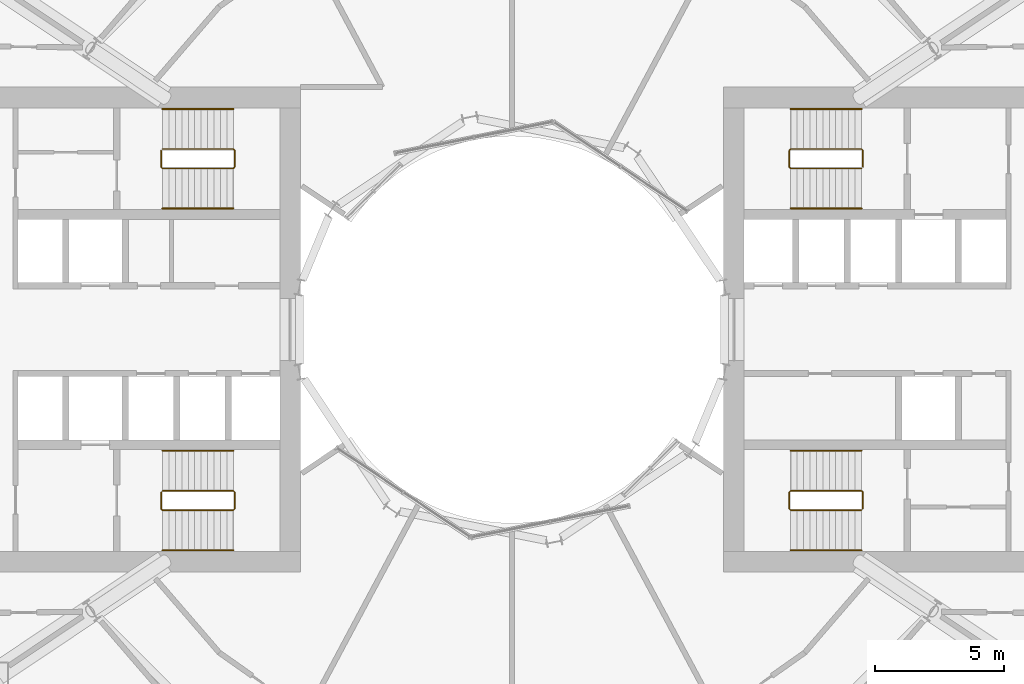
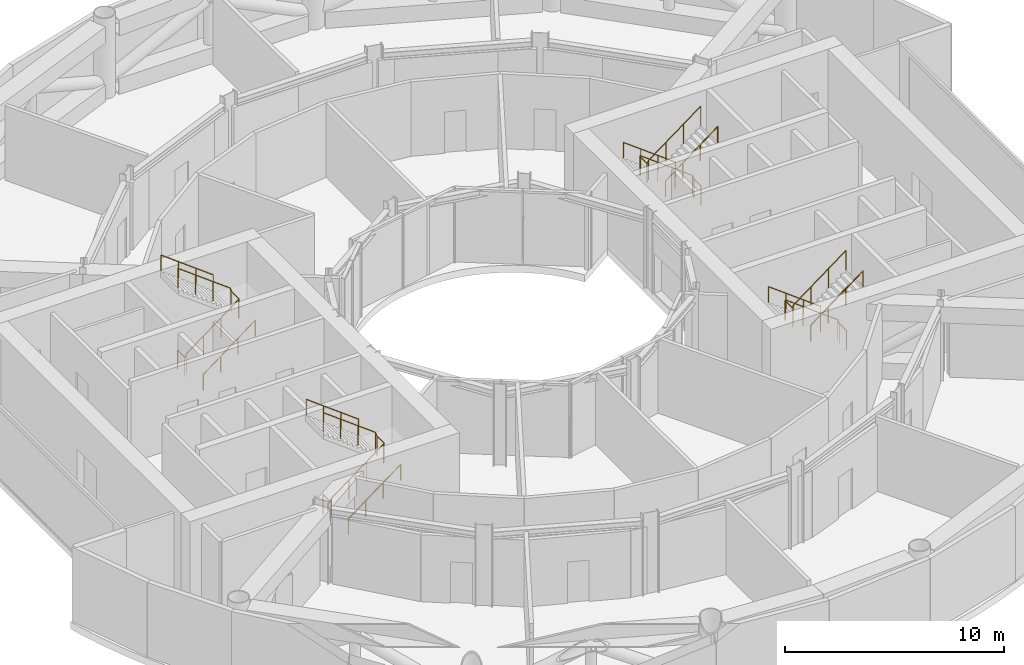
# One storey, part 15 of 15: 12 railings.
"""IFC4 building model written with IfcOpenShell, lengths in metres."""

from ifc_helpers import new_model, si_unit, direction, frame, origin, origin_2d, place, context, subcontext, project, spatial, circle, extrude, material, type_object, element, save


model = new_model("IFC4")

# Units and contexts
model_context = context("Model", 3, precision=1e-05, world=origin(), true_north=direction((0.0, 1.0)))
body_context = subcontext(model_context, "Body", "Model", "MODEL_VIEW")
ifc_project = project(units=[si_unit("LENGTHUNIT", "METRE"), si_unit("AREAUNIT", "SQUARE_METRE"), si_unit("VOLUMEUNIT", "CUBIC_METRE"), si_unit("PLANEANGLEUNIT", "RADIAN"), si_unit("MASSUNIT", "GRAM", prefix="KILO")], contexts=[model_context])

# Site, building, storey
site_placement = place(None, origin())
site = spatial("IfcSite", under=ifc_project, at=site_placement, CompositionType="ELEMENT")
building_placement = place(site_placement, origin())
building = spatial("IfcBuilding", under=site, at=building_placement, Name="Maasbend Ring Residences", CompositionType="ELEMENT")
storey_placement = place(building_placement, frame((0.0, 0.0, 18.300048828125)))
storey = spatial("IfcBuildingStorey", under=building, at=storey_placement, Name="L04", CompositionType="ELEMENT", Elevation=18.300048828125)

# Railings
ifc_material_1 = material(Name="Stainless steel 316", Category="steel")
railing_type_1 = type_object("IfcRailingType", Name="STAIR GUARD 1100", PredefinedType="GUARDRAIL", material=ifc_material_1)
railing_1_placement = place(storey_placement, frame((13.60009765625, 6.300048828125, 0.0)))
element("IfcRailing", 1, at=railing_1_placement, inside=storey, type_object=railing_type_1, Name="L04 ST-E1 stair guard 1", PredefinedType="GUARDRAIL", context=body_context, shape_type="SweptSolid", body=[
    extrude(circle(Radius=0.02392578125, at=origin_2d()), frame((0.0, 0.0, 1.076171875), z_axis=(0.0, 1.0, 0.0), x_axis=(-1.0, 0.0, 0.0)), (0.0, 0.0, 1.0), 0.64990234375),
    extrude(circle(Radius=0.02392578125, at=origin_2d()), frame((0.0, 0.64990234375, 1.076171875), z_axis=(-0.249726431254, 0.249726431254, 0.935560483917), x_axis=(-0.707106781187, -0.707106781187, 0.0)), (0.0, 0.0, 1.0), 0.200439453125),
    extrude(circle(Radius=0.02392578125, at=origin_2d()), frame((-0.050048828125, 0.699951171875, 1.263671875), z_axis=(-0.8, 0.0, 0.6), x_axis=(0.0, -1.0, 0.0)), (0.0, 0.0, 1.0), 3.4375),
    extrude(circle(Radius=0.02392578125, at=origin_2d()), frame((-2.800048828125, 0.699951171875, 3.326171875), z_axis=(-0.707106781187, -0.707106781187, 0.0), x_axis=(0.707106781187, -0.707106781187, 0.0)), (0.0, 0.0, 1.0), 0.07080078125),
    extrude(circle(Radius=0.02392578125, at=origin_2d()), frame((-2.85009765625, 0.64990234375, 3.326171875), z_axis=(0.0, -1.0, 0.0), x_axis=(1.0, 0.0, 0.0)), (0.0, 0.0, 1.0), 0.64990234375),
    extrude(circle(Radius=0.02392578125, at=origin_2d()), frame((-2.85009765625, 0.0, 3.326171875), z_axis=(0.249726431254, -0.249726431254, 0.935560483917), x_axis=(0.707106781187, 0.707106781187, 0.0)), (0.0, 0.0, 1.0), 0.200439453125),
    extrude(circle(Radius=0.02392578125, at=origin_2d()), frame((-2.800048828125, -0.050048828125, 3.513671875), z_axis=(0.8, 0.0, 0.6), x_axis=(0.0, 1.0, 0.0)), (0.0, 0.0, 1.0), 3.4375),
    extrude(circle(Radius=0.02099609375, at=origin_2d()), origin(), (0.0, 0.0, 1.0), 1.052001953125),
    extrude(circle(Radius=0.02099609375, at=origin_2d()), frame((0.0, 0.64990234375, 0.0)), (0.0, 0.0, 1.0), 1.052001953125),
    extrude(circle(Radius=0.02099609375, at=origin_2d()), frame((-0.050048828125, 0.699951171875, 0.1875)), (0.0, 0.0, 1.0), 1.052001953125),
    extrude(circle(Radius=0.02099609375, at=origin_2d()), frame((-0.966796875, 0.699951171875, 0.875)), (0.0, 0.0, 1.0), 1.052001953125),
    extrude(circle(Radius=0.02099609375, at=origin_2d()), frame((-1.88330078125, 0.699951171875, 1.5625)), (0.0, 0.0, 1.0), 1.052001953125),
    extrude(circle(Radius=0.02099609375, at=origin_2d()), frame((-2.800048828125, 0.699951171875, 2.25)), (0.0, 0.0, 1.0), 1.052001953125),
    extrude(circle(Radius=0.02099609375, at=origin_2d()), frame((-2.85009765625, 0.64990234375, 2.25)), (0.0, 0.0, 1.0), 1.052001953125),
    extrude(circle(Radius=0.02099609375, at=origin_2d()), frame((-2.85009765625, 0.0, 2.25)), (0.0, 0.0, 1.0), 1.052001953125),
    extrude(circle(Radius=0.02099609375, at=origin_2d()), frame((-2.800048828125, -0.050048828125, 2.4375)), (0.0, 0.0, 1.0), 1.052001953125),
    extrude(circle(Radius=0.02099609375, at=origin_2d()), frame((-1.88330078125, -0.050048828125, 3.125)), (0.0, 0.0, 1.0), 1.052001953125),
    extrude(circle(Radius=0.02099609375, at=origin_2d()), frame((-0.966796875, -0.050048828125, 3.8125)), (0.0, 0.0, 1.0), 1.052001953125),
    extrude(circle(Radius=0.02099609375, at=origin_2d()), frame((-0.050048828125, -0.050048828125, 4.5)), (0.0, 0.0, 1.0), 1.052001953125),
])
railing_2_placement = place(storey_placement, frame((13.60009765625, -6.949951171875, 0.0)))
element("IfcRailing", 2, at=railing_2_placement, inside=storey, type_object=railing_type_1, Name="L04 ST-E2 stair guard 1", PredefinedType="GUARDRAIL", context=body_context, shape_type="SweptSolid", body=[
    extrude(circle(Radius=0.02392578125, at=origin_2d()), frame((0.0, 0.0, 1.076171875), z_axis=(0.0, 1.0, 0.0), x_axis=(-1.0, 0.0, 0.0)), (0.0, 0.0, 1.0), 0.64990234375),
    extrude(circle(Radius=0.02392578125, at=origin_2d()), frame((0.0, 0.64990234375, 1.076171875), z_axis=(-0.249726431254, 0.249726431254, 0.935560483917), x_axis=(-0.707106781187, -0.707106781187, 0.0)), (0.0, 0.0, 1.0), 0.200439453125),
    extrude(circle(Radius=0.02392578125, at=origin_2d()), frame((-0.050048828125, 0.699951171875, 1.263671875), z_axis=(-0.8, 0.0, 0.6), x_axis=(0.0, -1.0, 0.0)), (0.0, 0.0, 1.0), 3.4375),
    extrude(circle(Radius=0.02392578125, at=origin_2d()), frame((-2.800048828125, 0.699951171875, 3.326171875), z_axis=(-0.707106781187, -0.707106781187, 0.0), x_axis=(0.707106781187, -0.707106781187, 0.0)), (0.0, 0.0, 1.0), 0.07080078125),
    extrude(circle(Radius=0.02392578125, at=origin_2d()), frame((-2.85009765625, 0.64990234375, 3.326171875), z_axis=(0.0, -1.0, 0.0), x_axis=(1.0, 0.0, 0.0)), (0.0, 0.0, 1.0), 0.64990234375),
    extrude(circle(Radius=0.02392578125, at=origin_2d()), frame((-2.85009765625, 0.0, 3.326171875), z_axis=(0.249726431254, -0.249726431254, 0.935560483917), x_axis=(0.707106781187, 0.707106781187, 0.0)), (0.0, 0.0, 1.0), 0.200439453125),
    extrude(circle(Radius=0.02392578125, at=origin_2d()), frame((-2.800048828125, -0.050048828125, 3.513671875), z_axis=(0.8, 0.0, 0.6), x_axis=(0.0, 1.0, 0.0)), (0.0, 0.0, 1.0), 3.4375),
    extrude(circle(Radius=0.02099609375, at=origin_2d()), origin(), (0.0, 0.0, 1.0), 1.052001953125),
    extrude(circle(Radius=0.02099609375, at=origin_2d()), frame((0.0, 0.64990234375, 0.0)), (0.0, 0.0, 1.0), 1.052001953125),
    extrude(circle(Radius=0.02099609375, at=origin_2d()), frame((-0.050048828125, 0.699951171875, 0.1875)), (0.0, 0.0, 1.0), 1.052001953125),
    extrude(circle(Radius=0.02099609375, at=origin_2d()), frame((-0.966796875, 0.699951171875, 0.875)), (0.0, 0.0, 1.0), 1.052001953125),
    extrude(circle(Radius=0.02099609375, at=origin_2d()), frame((-1.88330078125, 0.699951171875, 1.5625)), (0.0, 0.0, 1.0), 1.052001953125),
    extrude(circle(Radius=0.02099609375, at=origin_2d()), frame((-2.800048828125, 0.699951171875, 2.25)), (0.0, 0.0, 1.0), 1.052001953125),
    extrude(circle(Radius=0.02099609375, at=origin_2d()), frame((-2.85009765625, 0.64990234375, 2.25)), (0.0, 0.0, 1.0), 1.052001953125),
    extrude(circle(Radius=0.02099609375, at=origin_2d()), frame((-2.85009765625, 0.0, 2.25)), (0.0, 0.0, 1.0), 1.052001953125),
    extrude(circle(Radius=0.02099609375, at=origin_2d()), frame((-2.800048828125, -0.050048828125, 2.4375)), (0.0, 0.0, 1.0), 1.052001953125),
    extrude(circle(Radius=0.02099609375, at=origin_2d()), frame((-1.88330078125, -0.050048828125, 3.125)), (0.0, 0.0, 1.0), 1.052001953125),
    extrude(circle(Radius=0.02099609375, at=origin_2d()), frame((-0.966796875, -0.050048828125, 3.8125)), (0.0, 0.0, 1.0), 1.052001953125),
    extrude(circle(Radius=0.02099609375, at=origin_2d()), frame((-0.050048828125, -0.050048828125, 4.5)), (0.0, 0.0, 1.0), 1.052001953125),
])
railing_3_placement = place(storey_placement, frame((-13.60009765625, -6.300048828125, 0.0)))
element("IfcRailing", 3, at=railing_3_placement, inside=storey, type_object=railing_type_1, Name="L04 ST-W1 stair guard 1", PredefinedType="GUARDRAIL", context=body_context, shape_type="SweptSolid", body=[
    extrude(circle(Radius=0.02392578125, at=origin_2d()), frame((0.0, 0.0, 1.076171875), z_axis=(0.0, -1.0, 0.0), x_axis=(1.0, 0.0, 0.0)), (0.0, 0.0, 1.0), 0.64990234375),
    extrude(circle(Radius=0.02392578125, at=origin_2d()), frame((0.0, -0.64990234375, 1.076171875), z_axis=(0.249726431254, -0.249726431254, 0.935560483917), x_axis=(0.707106781187, 0.707106781187, 0.0)), (0.0, 0.0, 1.0), 0.200439453125),
    extrude(circle(Radius=0.02392578125, at=origin_2d()), frame((0.050048828125, -0.699951171875, 1.263671875), z_axis=(0.8, 0.0, 0.6), x_axis=(0.0, 1.0, 0.0)), (0.0, 0.0, 1.0), 3.4375),
    extrude(circle(Radius=0.02392578125, at=origin_2d()), frame((2.800048828125, -0.699951171875, 3.326171875), z_axis=(0.707106781187, 0.707106781187, 0.0), x_axis=(-0.707106781187, 0.707106781187, 0.0)), (0.0, 0.0, 1.0), 0.07080078125),
    extrude(circle(Radius=0.02392578125, at=origin_2d()), frame((2.85009765625, -0.64990234375, 3.326171875), z_axis=(0.0, 1.0, 0.0), x_axis=(-1.0, 0.0, 0.0)), (0.0, 0.0, 1.0), 0.64990234375),
    extrude(circle(Radius=0.02392578125, at=origin_2d()), frame((2.85009765625, 0.0, 3.326171875), z_axis=(-0.249726431254, 0.249726431254, 0.935560483917), x_axis=(-0.707106781187, -0.707106781187, 0.0)), (0.0, 0.0, 1.0), 0.200439453125),
    extrude(circle(Radius=0.02392578125, at=origin_2d()), frame((2.800048828125, 0.050048828125, 3.513671875), z_axis=(-0.8, 0.0, 0.6), x_axis=(0.0, -1.0, 0.0)), (0.0, 0.0, 1.0), 3.4375),
    extrude(circle(Radius=0.02099609375, at=origin_2d()), origin(), (0.0, 0.0, 1.0), 1.052001953125),
    extrude(circle(Radius=0.02099609375, at=origin_2d()), frame((0.0, -0.64990234375, 0.0)), (0.0, 0.0, 1.0), 1.052001953125),
    extrude(circle(Radius=0.02099609375, at=origin_2d()), frame((0.050048828125, -0.699951171875, 0.1875)), (0.0, 0.0, 1.0), 1.052001953125),
    extrude(circle(Radius=0.02099609375, at=origin_2d()), frame((0.966796875, -0.699951171875, 0.875)), (0.0, 0.0, 1.0), 1.052001953125),
    extrude(circle(Radius=0.02099609375, at=origin_2d()), frame((1.88330078125, -0.699951171875, 1.5625)), (0.0, 0.0, 1.0), 1.052001953125),
    extrude(circle(Radius=0.02099609375, at=origin_2d()), frame((2.800048828125, -0.699951171875, 2.25)), (0.0, 0.0, 1.0), 1.052001953125),
    extrude(circle(Radius=0.02099609375, at=origin_2d()), frame((2.85009765625, -0.64990234375, 2.25)), (0.0, 0.0, 1.0), 1.052001953125),
    extrude(circle(Radius=0.02099609375, at=origin_2d()), frame((2.85009765625, 0.0, 2.25)), (0.0, 0.0, 1.0), 1.052001953125),
    extrude(circle(Radius=0.02099609375, at=origin_2d()), frame((2.800048828125, 0.050048828125, 2.4375)), (0.0, 0.0, 1.0), 1.052001953125),
    extrude(circle(Radius=0.02099609375, at=origin_2d()), frame((1.88330078125, 0.050048828125, 3.125)), (0.0, 0.0, 1.0), 1.052001953125),
    extrude(circle(Radius=0.02099609375, at=origin_2d()), frame((0.966796875, 0.050048828125, 3.8125)), (0.0, 0.0, 1.0), 1.052001953125),
    extrude(circle(Radius=0.02099609375, at=origin_2d()), frame((0.050048828125, 0.050048828125, 4.5)), (0.0, 0.0, 1.0), 1.052001953125),
])
railing_4_placement = place(storey_placement, frame((-13.60009765625, 6.949951171875, 0.0)))
element("IfcRailing", 4, at=railing_4_placement, inside=storey, type_object=railing_type_1, Name="L04 ST-W2 stair guard 1", PredefinedType="GUARDRAIL", context=body_context, shape_type="SweptSolid", body=[
    extrude(circle(Radius=0.02392578125, at=origin_2d()), frame((0.0, 0.0, 1.076171875), z_axis=(0.0, -1.0, 0.0), x_axis=(1.0, 0.0, 0.0)), (0.0, 0.0, 1.0), 0.64990234375),
    extrude(circle(Radius=0.02392578125, at=origin_2d()), frame((0.0, -0.64990234375, 1.076171875), z_axis=(0.249726431254, -0.249726431254, 0.935560483917), x_axis=(0.707106781187, 0.707106781187, 0.0)), (0.0, 0.0, 1.0), 0.200439453125),
    extrude(circle(Radius=0.02392578125, at=origin_2d()), frame((0.050048828125, -0.699951171875, 1.263671875), z_axis=(0.8, 0.0, 0.6), x_axis=(0.0, 1.0, 0.0)), (0.0, 0.0, 1.0), 3.4375),
    extrude(circle(Radius=0.02392578125, at=origin_2d()), frame((2.800048828125, -0.699951171875, 3.326171875), z_axis=(0.707106781187, 0.707106781187, 0.0), x_axis=(-0.707106781187, 0.707106781187, 0.0)), (0.0, 0.0, 1.0), 0.07080078125),
    extrude(circle(Radius=0.02392578125, at=origin_2d()), frame((2.85009765625, -0.64990234375, 3.326171875), z_axis=(0.0, 1.0, 0.0), x_axis=(-1.0, 0.0, 0.0)), (0.0, 0.0, 1.0), 0.64990234375),
    extrude(circle(Radius=0.02392578125, at=origin_2d()), frame((2.85009765625, 0.0, 3.326171875), z_axis=(-0.249726431254, 0.249726431254, 0.935560483917), x_axis=(-0.707106781187, -0.707106781187, 0.0)), (0.0, 0.0, 1.0), 0.200439453125),
    extrude(circle(Radius=0.02392578125, at=origin_2d()), frame((2.800048828125, 0.050048828125, 3.513671875), z_axis=(-0.8, 0.0, 0.6), x_axis=(0.0, -1.0, 0.0)), (0.0, 0.0, 1.0), 3.4375),
    extrude(circle(Radius=0.02099609375, at=origin_2d()), origin(), (0.0, 0.0, 1.0), 1.052001953125),
    extrude(circle(Radius=0.02099609375, at=origin_2d()), frame((0.0, -0.64990234375, 0.0)), (0.0, 0.0, 1.0), 1.052001953125),
    extrude(circle(Radius=0.02099609375, at=origin_2d()), frame((0.050048828125, -0.699951171875, 0.1875)), (0.0, 0.0, 1.0), 1.052001953125),
    extrude(circle(Radius=0.02099609375, at=origin_2d()), frame((0.966796875, -0.699951171875, 0.875)), (0.0, 0.0, 1.0), 1.052001953125),
    extrude(circle(Radius=0.02099609375, at=origin_2d()), frame((1.88330078125, -0.699951171875, 1.5625)), (0.0, 0.0, 1.0), 1.052001953125),
    extrude(circle(Radius=0.02099609375, at=origin_2d()), frame((2.800048828125, -0.699951171875, 2.25)), (0.0, 0.0, 1.0), 1.052001953125),
    extrude(circle(Radius=0.02099609375, at=origin_2d()), frame((2.85009765625, -0.64990234375, 2.25)), (0.0, 0.0, 1.0), 1.052001953125),
    extrude(circle(Radius=0.02099609375, at=origin_2d()), frame((2.85009765625, 0.0, 2.25)), (0.0, 0.0, 1.0), 1.052001953125),
    extrude(circle(Radius=0.02099609375, at=origin_2d()), frame((2.800048828125, 0.050048828125, 2.4375)), (0.0, 0.0, 1.0), 1.052001953125),
    extrude(circle(Radius=0.02099609375, at=origin_2d()), frame((1.88330078125, 0.050048828125, 3.125)), (0.0, 0.0, 1.0), 1.052001953125),
    extrude(circle(Radius=0.02099609375, at=origin_2d()), frame((0.966796875, 0.050048828125, 3.8125)), (0.0, 0.0, 1.0), 1.052001953125),
    extrude(circle(Radius=0.02099609375, at=origin_2d()), frame((0.050048828125, 0.050048828125, 4.5)), (0.0, 0.0, 1.0), 1.052001953125),
])
ifc_material_2 = material(Name="Stainless steel 316", Category="steel")
railing_type_2 = type_object("IfcRailingType", Name="STAIR HANDRAIL 900", PredefinedType="HANDRAIL", material=ifc_material_2)
railing_5_placement = place(storey_placement, frame((13.550048828125, 8.550048828125, 0.1875)))
element("IfcRailing", 5, at=railing_5_placement, inside=storey, type_object=railing_type_2, Name="L04 ST-E1 stair handrail 1", PredefinedType="HANDRAIL", context=body_context, shape_type="SweptSolid", body=[
    extrude(circle(Radius=0.02392578125, at=origin_2d()), frame((0.0, 0.0, 0.8759765625), z_axis=(-0.8, 0.0, 0.6), x_axis=(0.0, -1.0, 0.0)), (0.0, 0.0, 1.0), 3.4375),
    extrude(circle(Radius=0.02099609375, at=origin_2d()), origin(), (0.0, 0.0, 1.0), 0.851806640625),
    extrude(circle(Radius=0.02099609375, at=origin_2d()), frame((-0.916748046875, 0.0, 0.6875)), (0.0, 0.0, 1.0), 0.851806640625),
    extrude(circle(Radius=0.02099609375, at=origin_2d()), frame((-1.833251953125, 0.0, 1.375)), (0.0, 0.0, 1.0), 0.851806640625),
    extrude(circle(Radius=0.02099609375, at=origin_2d()), frame((-2.75, 0.0, 2.0625)), (0.0, 0.0, 1.0), 0.851806640625),
])
railing_6_placement = place(storey_placement, frame((10.800048828125, 4.699951171875, 2.4375)))
element("IfcRailing", 6, at=railing_6_placement, inside=storey, type_object=railing_type_2, Name="L04 ST-E1 stair handrail 2", PredefinedType="HANDRAIL", context=body_context, shape_type="SweptSolid", body=[
    extrude(circle(Radius=0.02392578125, at=origin_2d()), frame((0.0, 0.0, 0.8759765625), z_axis=(0.8, 0.0, 0.6), x_axis=(0.0, 1.0, 0.0)), (0.0, 0.0, 1.0), 3.4375),
    extrude(circle(Radius=0.02099609375, at=origin_2d()), origin(), (0.0, 0.0, 1.0), 0.851806640625),
    extrude(circle(Radius=0.02099609375, at=origin_2d()), frame((0.916748046875, 0.0, 0.6875)), (0.0, 0.0, 1.0), 0.851806640625),
    extrude(circle(Radius=0.02099609375, at=origin_2d()), frame((1.833251953125, 0.0, 1.375)), (0.0, 0.0, 1.0), 0.851806640625),
    extrude(circle(Radius=0.02099609375, at=origin_2d()), frame((2.75, 0.0, 2.0625)), (0.0, 0.0, 1.0), 0.851806640625),
])
railing_7_placement = place(storey_placement, frame((13.550048828125, -4.699951171875, 0.1875)))
element("IfcRailing", 7, at=railing_7_placement, inside=storey, type_object=railing_type_2, Name="L04 ST-E2 stair handrail 1", PredefinedType="HANDRAIL", context=body_context, shape_type="SweptSolid", body=[
    extrude(circle(Radius=0.02392578125, at=origin_2d()), frame((0.0, 0.0, 0.8759765625), z_axis=(-0.8, 0.0, 0.6), x_axis=(0.0, -1.0, 0.0)), (0.0, 0.0, 1.0), 3.4375),
    extrude(circle(Radius=0.02099609375, at=origin_2d()), origin(), (0.0, 0.0, 1.0), 0.851806640625),
    extrude(circle(Radius=0.02099609375, at=origin_2d()), frame((-0.916748046875, 0.0, 0.6875)), (0.0, 0.0, 1.0), 0.851806640625),
    extrude(circle(Radius=0.02099609375, at=origin_2d()), frame((-1.833251953125, 0.0, 1.375)), (0.0, 0.0, 1.0), 0.851806640625),
    extrude(circle(Radius=0.02099609375, at=origin_2d()), frame((-2.75, 0.0, 2.0625)), (0.0, 0.0, 1.0), 0.851806640625),
])
for number, where, name in (
    (8, (10.800048828125, -8.550048828125, 2.4375), "L04 ST-E2 stair handrail 2"),
    (9, (-13.550048828125, -8.550048828125, 0.1875), "L04 ST-W1 stair handrail 1"),
):
    element("IfcRailing", number, at=place(storey_placement, frame(where)), inside=storey, type_object=railing_type_2, Name=name, PredefinedType="HANDRAIL", context=body_context, shape_type="SweptSolid", body=[
        extrude(circle(Radius=0.02392578125, at=origin_2d()), frame((0.0, 0.0, 0.8759765625), z_axis=(0.8, 0.0, 0.6), x_axis=(0.0, 1.0, 0.0)), (0.0, 0.0, 1.0), 3.4375),
        extrude(circle(Radius=0.02099609375, at=origin_2d()), origin(), (0.0, 0.0, 1.0), 0.851806640625),
        extrude(circle(Radius=0.02099609375, at=origin_2d()), frame((0.916748046875, 0.0, 0.6875)), (0.0, 0.0, 1.0), 0.851806640625),
        extrude(circle(Radius=0.02099609375, at=origin_2d()), frame((1.833251953125, 0.0, 1.375)), (0.0, 0.0, 1.0), 0.851806640625),
        extrude(circle(Radius=0.02099609375, at=origin_2d()), frame((2.75, 0.0, 2.0625)), (0.0, 0.0, 1.0), 0.851806640625),
    ])
railing_8_placement = place(storey_placement, frame((-10.800048828125, -4.699951171875, 2.4375)))
element("IfcRailing", 10, at=railing_8_placement, inside=storey, type_object=railing_type_2, Name="L04 ST-W1 stair handrail 2", PredefinedType="HANDRAIL", context=body_context, shape_type="SweptSolid", body=[
    extrude(circle(Radius=0.02392578125, at=origin_2d()), frame((0.0, 0.0, 0.8759765625), z_axis=(-0.8, 0.0, 0.6), x_axis=(0.0, -1.0, 0.0)), (0.0, 0.0, 1.0), 3.4375),
    extrude(circle(Radius=0.02099609375, at=origin_2d()), origin(), (0.0, 0.0, 1.0), 0.851806640625),
    extrude(circle(Radius=0.02099609375, at=origin_2d()), frame((-0.916748046875, 0.0, 0.6875)), (0.0, 0.0, 1.0), 0.851806640625),
    extrude(circle(Radius=0.02099609375, at=origin_2d()), frame((-1.833251953125, 0.0, 1.375)), (0.0, 0.0, 1.0), 0.851806640625),
    extrude(circle(Radius=0.02099609375, at=origin_2d()), frame((-2.75, 0.0, 2.0625)), (0.0, 0.0, 1.0), 0.851806640625),
])
railing_9_placement = place(storey_placement, frame((-13.550048828125, 4.699951171875, 0.1875)))
element("IfcRailing", 11, at=railing_9_placement, inside=storey, type_object=railing_type_2, Name="L04 ST-W2 stair handrail 1", PredefinedType="HANDRAIL", context=body_context, shape_type="SweptSolid", body=[
    extrude(circle(Radius=0.02392578125, at=origin_2d()), frame((0.0, 0.0, 0.8759765625), z_axis=(0.8, 0.0, 0.6), x_axis=(0.0, 1.0, 0.0)), (0.0, 0.0, 1.0), 3.4375),
    extrude(circle(Radius=0.02099609375, at=origin_2d()), origin(), (0.0, 0.0, 1.0), 0.851806640625),
    extrude(circle(Radius=0.02099609375, at=origin_2d()), frame((0.916748046875, 0.0, 0.6875)), (0.0, 0.0, 1.0), 0.851806640625),
    extrude(circle(Radius=0.02099609375, at=origin_2d()), frame((1.833251953125, 0.0, 1.375)), (0.0, 0.0, 1.0), 0.851806640625),
    extrude(circle(Radius=0.02099609375, at=origin_2d()), frame((2.75, 0.0, 2.0625)), (0.0, 0.0, 1.0), 0.851806640625),
])
railing_10_placement = place(storey_placement, frame((-10.800048828125, 8.550048828125, 2.4375)))
element("IfcRailing", 12, at=railing_10_placement, inside=storey, type_object=railing_type_2, Name="L04 ST-W2 stair handrail 2", PredefinedType="HANDRAIL", context=body_context, shape_type="SweptSolid", body=[
    extrude(circle(Radius=0.02392578125, at=origin_2d()), frame((0.0, 0.0, 0.8759765625), z_axis=(-0.8, 0.0, 0.6), x_axis=(0.0, -1.0, 0.0)), (0.0, 0.0, 1.0), 3.4375),
    extrude(circle(Radius=0.02099609375, at=origin_2d()), origin(), (0.0, 0.0, 1.0), 0.851806640625),
    extrude(circle(Radius=0.02099609375, at=origin_2d()), frame((-0.916748046875, 0.0, 0.6875)), (0.0, 0.0, 1.0), 0.851806640625),
    extrude(circle(Radius=0.02099609375, at=origin_2d()), frame((-1.833251953125, 0.0, 1.375)), (0.0, 0.0, 1.0), 0.851806640625),
    extrude(circle(Radius=0.02099609375, at=origin_2d()), frame((-2.75, 0.0, 2.0625)), (0.0, 0.0, 1.0), 0.851806640625),
])

save(model, "model.ifc")
